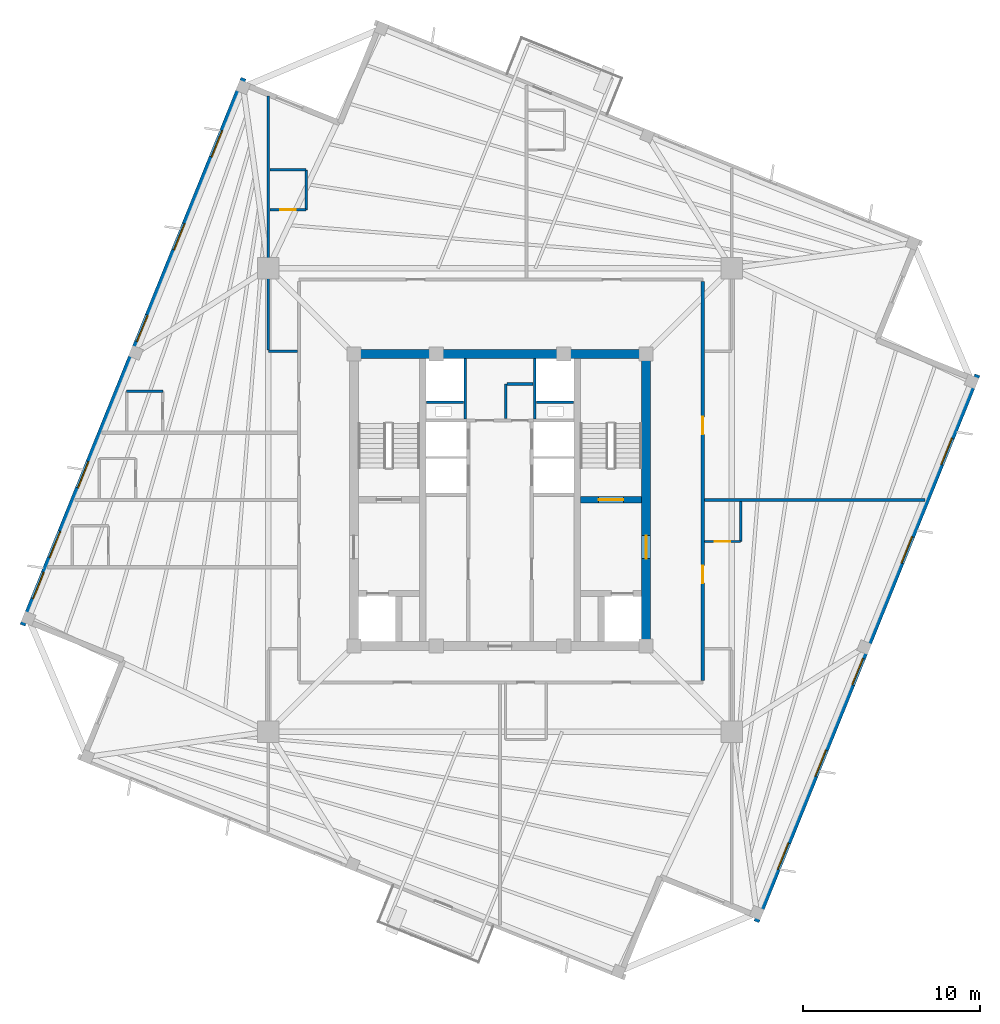
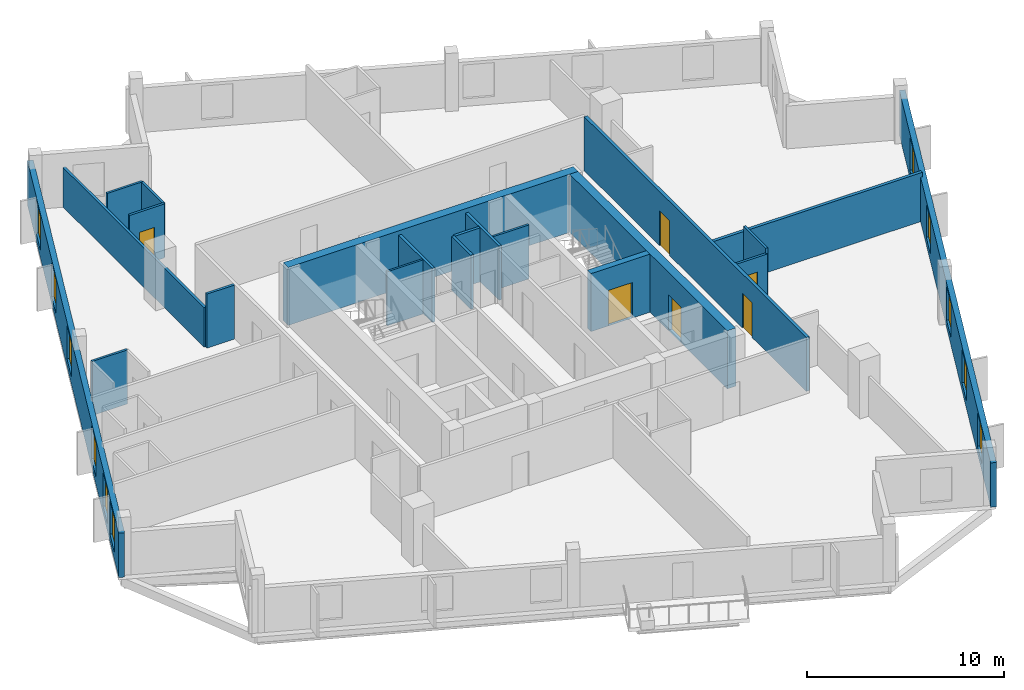
# One storey, part 4 of 8: 21 walls, 11 windows, 6 doors, 17 openings.
"""IFC4 building model written with IfcOpenShell, lengths in metres."""

from ifc_helpers import new_model, si_unit, direction, frame, frame_2d, origin, place, context, subcontext, project, spatial, rectangle, extrude, source, transform, mapped, material, layer, layer_set, type_object, element, fill, save


model = new_model("IFC4")

# Units and contexts
model_context = context("Model", 3, precision=1e-05, world=origin(), true_north=direction((0.0, 1.0)))
body_context = subcontext(model_context, "Body", "Model", "MODEL_VIEW")
ifc_project = project(units=[si_unit("LENGTHUNIT", "METRE"), si_unit("AREAUNIT", "SQUARE_METRE"), si_unit("VOLUMEUNIT", "CUBIC_METRE"), si_unit("PLANEANGLEUNIT", "RADIAN"), si_unit("MASSUNIT", "GRAM", prefix="KILO"), si_unit("THERMODYNAMICTEMPERATUREUNIT", "KELVIN")], contexts=[model_context])

# Site, building, storey
site_placement = place(None, origin())
site = spatial("IfcSite", under=ifc_project, at=site_placement, CompositionType="ELEMENT")
building_placement = place(site_placement, origin())
building = spatial("IfcBuilding", under=site, at=building_placement, Name="Kosmvard Interchange Tower", CompositionType="ELEMENT")
storey_placement = place(building_placement, frame((0.0, 0.0, 286.800048828125)))
storey = spatial("IfcBuildingStorey", under=building, at=storey_placement, Name="L70", CompositionType="ELEMENT", Elevation=286.800048828125)

# Walls
ifc_material_1 = material(Name="Acoustic gypsum partition system")
ifc_layer_1 = layer(ifc_material_1, 0.14990234375, Name="Acoustic gypsum partition system")
ifc_layer_set_1 = layer_set([ifc_layer_1], Name="Acoustic gypsum partition system")
wall_type_1 = type_object("IfcWallType", Name="Acoustic Suite & Meeting Partition 150", PredefinedType="PARTITIONING", material=ifc_layer_set_1)
wall_1_placement = place(storey_placement, frame((-11.445068359375, 8.39990234375, 0.0), z_axis=(0.0, 0.0, 1.0), x_axis=(-1.0, 0.0, 0.0)))
element("IfcWall", 1, at=wall_1_placement, inside=storey, type_object=wall_type_1, Name="L70 Room Partition 07.1", PredefinedType="PARTITIONING", context=body_context, shape_type="SweptSolid", body=[
    extrude(rectangle(XDim=1.635986328125, YDim=0.14990234375, at=frame_2d((0.81787109375, 0.0))), origin(), (0.0, 0.0, 1.0), 3.349853515625),
])
wall_2_placement = place(storey_placement, frame((-13.0810546875, 8.47509765625, 0.0), z_axis=(0.0, 0.0, 1.0), x_axis=(0.0, 1.0, 0.0)))
element("IfcWall", 2, at=wall_2_placement, inside=storey, type_object=wall_type_1, Name="L70 Room Partition 08.1", PredefinedType="PARTITIONING", context=body_context, shape_type="SweptSolid", body=[
    extrude(rectangle(XDim=14.341552734375, YDim=0.14990234375, at=frame_2d((7.1708984375, 0.0))), origin(), (0.0, 0.0, 1.0), 2.449951171875),
])
ifc_material_2 = material(Name="Fire-rated gypsum partition system")
ifc_layer_2 = layer(ifc_material_2, 0.159912109375, Name="Fire-rated gypsum partition system")
ifc_layer_set_2 = layer_set([ifc_layer_2], Name="Fire-rated gypsum partition system")
wall_type_2 = type_object("IfcWallType", Name="Core Compartment & Shuttle Lobby Partition 160", PredefinedType="PARTITIONING", material=ifc_layer_set_2)
for number, where, z_axis, x_axis, name in (
    (3, (-1.9599609375, 4.580078125, 0.0), (0.0, 0.0, 1.0), (0.0, 1.0, 0.0), "L70 North Core West Wall"),
    (4, (1.9599609375, 4.580078125, 0.0), (0.0, 0.0, 1.0), (0.0, 1.0, 0.0), "L70 North Core East Wall"),
):
    element("IfcWall", number, at=place(storey_placement, frame(where, z_axis=z_axis, x_axis=x_axis)), inside=storey, type_object=wall_type_2, Name=name, PredefinedType="PARTITIONING", context=body_context, shape_type="SweptSolid", body=[
        extrude(rectangle(XDim=3.39990234375, YDim=0.159912109375, at=frame_2d((1.699951171875, 0.0))), origin(), (0.0, 0.0, 1.0), 3.349853515625),
    ])
ifc_material_3 = material(Name="Concrete blockwork masonry", Category="masonry")
ifc_layer_3 = layer(ifc_material_3, 0.159912109375, Name="Concrete blockwork masonry")
ifc_layer_set_3 = layer_set([ifc_layer_3], Name="Concrete blockwork masonry")
wall_type_3 = type_object("IfcWallType", Name="Core Enclosure Split Wall 160", PredefinedType="PARTITIONING", material=ifc_layer_set_3)
wall_3_placement = place(storey_placement, frame((0.320068359375, 4.60009765625, 0.0), z_axis=(0.0, 0.0, 1.0), x_axis=(0.0, 1.0, 0.0)))
element("IfcWall", 5, at=wall_3_placement, inside=storey, type_object=wall_type_3, Name="L70 Core K3 L-Wall 1", PredefinedType="PARTITIONING", context=body_context, shape_type="SweptSolid", body=[
    extrude(rectangle(XDim=1.949951171875, YDim=0.159912109375, at=frame_2d((0.97509765625, 0.0))), origin(), (0.0, 0.0, 1.0), 3.349853515625),
])
wall_4_placement = place(storey_placement, frame((0.39990234375, 6.550048828125, 0.0), z_axis=(0.0, 0.0, 1.0), x_axis=(1.0, 0.0, 0.0)))
element("IfcWall", 6, at=wall_4_placement, inside=storey, type_object=wall_type_3, Name="L70 Core K3 L-Wall 2", PredefinedType="PARTITIONING", context=body_context, shape_type="SweptSolid", body=[
    extrude(rectangle(XDim=1.460205078125, YDim=0.159912109375, at=frame_2d((0.72998046875, 0.0))), origin(), (0.0, 0.0, 1.0), 3.349853515625),
])

# Wall, openings, doors
ifc_layer_4 = layer(ifc_material_2, 0.179931640625, Name="Fire-rated gypsum partition system")
ifc_layer_set_4 = layer_set([ifc_layer_4], Name="Fire-rated gypsum partition system")
wall_type_4 = type_object("IfcWallType", Name="Corridor & Hotel Compartment Partition 180", PredefinedType="PARTITIONING", material=ifc_layer_set_4)
wall_5_placement = place(storey_placement, frame((11.449951171875, -10.199951171875, 0.0), z_axis=(0.0, 0.0, 1.0), x_axis=(0.0, 1.0, 0.0)))
wall_5 = element("IfcWall", 7, at=wall_5_placement, inside=storey, type_object=wall_type_4, Name="L70 Corridor Wall CE", PredefinedType="PARTITIONING", context=body_context, shape_type="SweptSolid", body=[
    extrude(rectangle(XDim=22.550048828125, YDim=0.179931640625, at=frame_2d((11.27490234375, 0.0))), origin(), (0.0, 0.0, 1.0), 3.349853515625),
])
opening_1_placement = place(wall_5_placement, frame((13.89990234375, 0.0, 0.0)))
opening_1 = element("IfcOpeningElement", 8, at=opening_1_placement, cuts=wall_5, Name="Opening L70-D10", PredefinedType="OPENING", context=body_context, shape_type="SweptSolid", body=[
    extrude(rectangle(XDim=1.0, YDim=2.14990234375, at=frame_2d((0.5, 1.074951171875))), frame((0.0, 0.10009765625, 0.0), z_axis=(0.0, -1.0, 0.0), x_axis=(1.0, 0.0, 0.0)), (0.0, 0.0, 1.0), 0.199951171875),
])
opening_2_placement = place(wall_5_placement, frame((5.5, 0.0, 0.0)))
opening_2 = element("IfcOpeningElement", 9, at=opening_2_placement, cuts=wall_5, Name="Opening L70-D11", PredefinedType="OPENING", context=body_context, shape_type="SweptSolid", body=[
    extrude(rectangle(XDim=1.0, YDim=2.14990234375, at=frame_2d((0.5, 1.074951171875))), frame((0.0, 0.10009765625, 0.0), z_axis=(0.0, -1.0, 0.0), x_axis=(1.0, 0.0, 0.0)), (0.0, 0.0, 1.0), 0.199951171875),
])
ifc_material_4 = material(Name="Engineered oak fire-rated timber", Category="wood")
door_type_1 = type_object("IfcDoorType", Name="Hotel Guestroom Entrance Door 1000x2150 EI60", OperationType="NOTDEFINED", PredefinedType="DOOR", material=ifc_material_4)
shared_shape_1 = source(origin(), body_context, "Body", "SweptSolid", [
    extrude(rectangle(XDim=1.0, YDim=2.14990234375, at=frame_2d((0.5, 1.074951171875))), frame((0.0, 0.02490234375, 0.0), z_axis=(0.0, -1.0, 0.0), x_axis=(1.0, 0.0, 0.0)), (0.0, 0.0, 1.0), 0.050048828125),
])
door_1_placement = place(opening_1_placement, frame((1.0, 0.0, 0.0), z_axis=(0.0, 0.0, 1.0), x_axis=(-1.0, 0.0, 0.0)))
door_1 = element("IfcDoor", 10, at=door_1_placement, inside=storey, type_object=door_type_1, Name="L70 Hotel Summit Boardroom 1 Door", OperationType="SINGLE_SWING_RIGHT", OverallHeight=2.14990234375, OverallWidth=1.0, PredefinedType="DOOR", context=body_context, shape_type="MappedRepresentation", body=[
    mapped(shared_shape_1, transform((0.0, 0.0, 0.0), scale=1.0)),
])
fill(opening_1, door_1)
door_2_placement = place(opening_2_placement, frame((1.0, 0.0, 0.0), z_axis=(0.0, 0.0, 1.0), x_axis=(-1.0, 0.0, 0.0)))
door_2 = element("IfcDoor", 11, at=door_2_placement, inside=storey, type_object=door_type_1, Name="L70 Hotel South-West Corner Suite 5 Door", OperationType="SINGLE_SWING_LEFT", OverallHeight=2.14990234375, OverallWidth=1.0, PredefinedType="DOOR", context=body_context, shape_type="MappedRepresentation", body=[
    mapped(shared_shape_1, transform((0.0, 0.0, 0.0), scale=1.0)),
])
fill(opening_2, door_2)

# Walls
wall_6_placement = place(storey_placement, frame((11.544921875, 0.0, 0.0), z_axis=(0.0, 0.0, 1.0), x_axis=(1.0, 0.0, 0.0)))
element("IfcWall", 12, at=wall_6_placement, inside=storey, type_object=wall_type_4, Name="L70 Room Partition 02.1", PredefinedType="PARTITIONING", context=body_context, shape_type="SweptSolid", body=[
    extrude(rectangle(XDim=12.457763671875, YDim=0.179931640625, at=frame_2d((6.22900390625, 0.0))), origin(), (0.0, 0.0, 1.0), 3.02001953125),
])
ifc_material_5 = material(Name="Fire-rated gypsum shaftwall system")
ifc_layer_5 = layer(ifc_material_5, 0.1201171875, Name="Fire-rated gypsum shaftwall system")
ifc_layer_set_5 = layer_set([ifc_layer_5], Name="Fire-rated gypsum shaftwall system")
wall_type_5 = type_object("IfcWallType", Name="Shaft & Riser Fire Partition 120 EI60", PredefinedType="PARTITIONING", material=ifc_layer_set_5)
for number, where, z_axis, x_axis, name in (
    (13, (-4.159912109375, 5.52001953125, 0.0), (0.0, 0.0, 1.0), (1.0, 0.0, 0.0), "L70 Riser Shaft Divider W"),
    (14, (2.06005859375, 5.52001953125, 0.0), (0.0, 0.0, 1.0), (1.0, 0.0, 0.0), "L70 Riser Shaft Divider E"),
):
    element("IfcWall", number, at=place(storey_placement, frame(where, z_axis=z_axis, x_axis=x_axis)), inside=storey, type_object=wall_type_5, Name=name, PredefinedType="PARTITIONING", context=body_context, shape_type="SweptSolid", body=[
        extrude(rectangle(XDim=2.099853515625, YDim=0.1201171875, at=frame_2d((1.0498046875, 0.0))), origin(), (0.0, 0.0, 1.0), 3.349853515625),
    ])

# Wall, opening, door
ifc_material_6 = material(Name="Concrete C60/75", Category="concrete")
ifc_layer_6 = layer(ifc_material_6, 0.360107421875, Name="Concrete C60/75")
ifc_layer_set_6 = layer_set([ifc_layer_6], Name="Concrete C60/75")
wall_type_6 = type_object("IfcWallType", Name="Stair & Lift Shaft Shear Wall 360 C60/75", PredefinedType="SHEAR", material=ifc_layer_set_6)
wall_7_placement = place(storey_placement, frame((4.5400390625, 0.02001953125, 0.0), z_axis=(0.0, 0.0, 1.0), x_axis=(1.0, 0.0, 0.0)))
wall_7 = element("IfcWall", 15, at=wall_7_placement, inside=storey, type_object=wall_type_6, Name="L70 Shaft Shear Wall SW-ST2", PredefinedType="SHEAR", context=body_context, shape_type="SweptSolid", body=[
    extrude(rectangle(XDim=3.4599609375, YDim=0.360107421875, at=frame_2d((1.72998046875, 0.0))), origin(), (0.0, 0.0, 1.0), 3.599853515625),
])
opening_3_placement = place(wall_7_placement, frame((1.030029296875, 0.0, 0.0)))
opening_3 = element("IfcOpeningElement", 16, at=opening_3_placement, cuts=wall_7, Name="Opening L70-SD2", PredefinedType="OPENING", context=body_context, shape_type="SweptSolid", body=[
    extrude(rectangle(XDim=1.39990234375, YDim=2.199951171875, at=frame_2d((0.699951171875, 1.10009765625))), frame((0.0, 0.18994140625, 0.0), z_axis=(0.0, -1.0, 0.0), x_axis=(1.0, 0.0, 0.0)), (0.0, 0.0, 1.0), 0.380126953125),
])
ifc_material_7 = material(Name="Painted fire-rated steel leaf", Category="steel")
door_type_2 = type_object("IfcDoorType", Name="Protected Stair Door 1400x2200 FD60S", OperationType="NOTDEFINED", PredefinedType="DOOR", material=ifc_material_7)
shared_shape_2 = source(origin(), body_context, "Body", "SweptSolid", [
    extrude(rectangle(XDim=1.39990234375, YDim=2.199951171875, at=frame_2d((0.699951171875, 1.10009765625))), frame((0.0, 0.02490234375, 0.0), z_axis=(0.0, -1.0, 0.0), x_axis=(1.0, 0.0, 0.0)), (0.0, 0.0, 1.0), 0.050048828125),
])
door_3_placement = place(opening_3_placement, origin())
door_3 = element("IfcDoor", 17, at=door_3_placement, inside=storey, type_object=door_type_2, Name="L70 Stair ST-2 Enclosure Door", OperationType="SINGLE_SWING_RIGHT", OverallHeight=2.199951171875, OverallWidth=1.39990234375, PredefinedType="DOOR", context=body_context, shape_type="MappedRepresentation", body=[
    mapped(shared_shape_2, transform((0.0, 0.0, 0.0), scale=1.0)),
])
fill(opening_3, door_3)

# Wall
ifc_layer_7 = layer(ifc_material_6, 0.5, Name="Concrete C60/75")
ifc_layer_set_7 = layer_set([ifc_layer_7], Name="Concrete C60/75")
wall_type_7 = type_object("IfcWallType", Name="Upper Core Shear Wall 500 C60/75", PredefinedType="SHEAR", material=ifc_layer_set_7)
wall_8_placement = place(storey_placement, frame((-8.5, 8.25, 0.0), z_axis=(0.0, 0.0, 1.0), x_axis=(1.0, 0.0, 0.0)))
element("IfcWall", 18, at=wall_8_placement, inside=storey, type_object=wall_type_7, Name="L70 Core Shear Wall CW-N", PredefinedType="SHEAR", context=body_context, shape_type="SweptSolid", body=[
    extrude(rectangle(XDim=17.0, YDim=0.5, at=frame_2d((8.5, 0.0))), origin(), (0.0, 0.0, 1.0), 3.599853515625),
])

# Wall, opening, door
wall_9_placement = place(storey_placement, frame((8.25, -8.0, 0.0), z_axis=(0.0, 0.0, 1.0), x_axis=(0.0, 1.0, 0.0)))
wall_9 = element("IfcWall", 19, at=wall_9_placement, inside=storey, type_object=wall_type_7, Name="L70 Core Shear Wall CW-E", PredefinedType="SHEAR", context=body_context, shape_type="SweptSolid", body=[
    extrude(rectangle(XDim=16.0, YDim=0.5, at=frame_2d((8.0, 0.0))), origin(), (0.0, 0.0, 1.0), 3.599853515625),
])
opening_4_placement = place(wall_9_placement, frame((4.68994140625, 0.0, 0.0)))
opening_4 = element("IfcOpeningElement", 20, at=opening_4_placement, cuts=wall_9, Name="Opening L70-FD2", PredefinedType="OPENING", context=body_context, shape_type="SweptSolid", body=[
    extrude(rectangle(XDim=1.300048828125, YDim=2.199951171875, at=frame_2d((0.64990234375, 1.10009765625))), frame((0.0, 0.260009765625, 0.0), z_axis=(0.0, -1.0, 0.0), x_axis=(1.0, 0.0, 0.0)), (0.0, 0.0, 1.0), 0.52001953125),
])
door_type_3 = type_object("IfcDoorType", Name="Firefighting Lobby Door 1300x2200 EI60", OperationType="NOTDEFINED", PredefinedType="DOOR", material=ifc_material_7)
shared_shape_3 = source(origin(), body_context, "Body", "SweptSolid", [
    extrude(rectangle(XDim=1.300048828125, YDim=2.199951171875, at=frame_2d((0.64990234375, 1.10009765625))), frame((0.0, 0.02490234375, 0.0), z_axis=(0.0, -1.0, 0.0), x_axis=(1.0, 0.0, 0.0)), (0.0, 0.0, 1.0), 0.050048828125),
])
door_4_placement = place(opening_4_placement, origin())
door_4 = element("IfcDoor", 21, at=door_4_placement, inside=storey, type_object=door_type_3, Name="L70 Firefighting Lobby East Door", OperationType="SINGLE_SWING_RIGHT", OverallHeight=2.199951171875, OverallWidth=1.300048828125, PredefinedType="DOOR", context=body_context, shape_type="MappedRepresentation", body=[
    mapped(shared_shape_3, transform((0.0, 0.0, 0.0), scale=1.0)),
])
fill(opening_4, door_4)

# Wall, openings, windows
ifc_material_8 = material(Name="Precast concrete C45/55", Category="concrete")
ifc_layer_8 = layer(ifc_material_8, 0.31005859375, Name="Precast concrete C45/55")
ifc_layer_set_8 = layer_set([ifc_layer_8], Name="Precast concrete C45/55")
wall_type_8 = type_object("IfcWallType", Name="Upper Tower Precast Pier Wall 310 C45/55", PredefinedType="STANDARD", material=ifc_layer_set_8)
wall_10_placement = place(storey_placement, frame((14.478759765625, -23.812744140625, 0.0), z_axis=(0.0, 0.0, 1.0), x_axis=(0.374609557019, 0.927182657188, 0.0)))
wall_10 = element("IfcWall", 22, at=wall_10_placement, inside=storey, type_object=wall_type_8, Name="L70 Precast Facade Wall F-S", PredefinedType="STANDARD", context=body_context, shape_type="SweptSolid", body=[
    extrude(rectangle(XDim=33.31005859375, YDim=0.31005859375, at=frame_2d((16.655029296875, 0.0))), origin(), (0.0, 0.0, 1.0), 2.75),
])
opening_5_placement = place(wall_10_placement, frame((3.197265625, 0.0, 0.469970703125)))
opening_5 = element("IfcOpeningElement", 23, at=opening_5_placement, cuts=wall_10, Name="Opening L70-W01", PredefinedType="OPENING", context=body_context, shape_type="SweptSolid", body=[
    extrude(rectangle(XDim=1.60009765625, YDim=2.10009765625, at=frame_2d((0.800048828125, 1.050048828125))), frame((0.0, 0.1650390625, 0.0), z_axis=(0.0, -1.0, 0.0), x_axis=(1.0, 0.0, 0.0)), (0.0, 0.0, 1.0), 0.330078125),
])
opening_6_placement = place(wall_10_placement, frame((8.85986328125, 0.0, 0.469970703125)))
opening_6 = element("IfcOpeningElement", 24, at=opening_6_placement, cuts=wall_10, Name="Opening L70-W02", PredefinedType="OPENING", context=body_context, shape_type="SweptSolid", body=[
    extrude(rectangle(XDim=1.60009765625, YDim=2.10009765625, at=frame_2d((0.800048828125, 1.050048828125))), frame((0.0, 0.1650390625, 0.0), z_axis=(0.0, -1.0, 0.0), x_axis=(1.0, 0.0, 0.0)), (0.0, 0.0, 1.0), 0.330078125),
])
opening_7_placement = place(wall_10_placement, frame((14.438720703125, 0.0, 0.469970703125)))
opening_7 = element("IfcOpeningElement", 25, at=opening_7_placement, cuts=wall_10, Name="Opening L70-W03", PredefinedType="OPENING", context=body_context, shape_type="SweptSolid", body=[
    extrude(rectangle(XDim=1.60009765625, YDim=2.10009765625, at=frame_2d((0.800048828125, 1.050048828125))), frame((0.0, 0.1650390625, 0.0), z_axis=(0.0, -1.0, 0.0), x_axis=(1.0, 0.0, 0.0)), (0.0, 0.0, 1.0), 0.330078125),
])
opening_8_placement = place(wall_10_placement, frame((21.850830078125, 0.0, 0.469970703125)))
opening_8 = element("IfcOpeningElement", 26, at=opening_8_placement, cuts=wall_10, Name="Opening L70-W04", PredefinedType="OPENING", context=body_context, shape_type="SweptSolid", body=[
    extrude(rectangle(XDim=1.60009765625, YDim=2.10009765625, at=frame_2d((0.800048828125, 1.050048828125))), frame((0.0, 0.1650390625, 0.0), z_axis=(0.0, -1.0, 0.0), x_axis=(1.0, 0.0, 0.0)), (0.0, 0.0, 1.0), 0.330078125),
])
opening_9_placement = place(wall_10_placement, frame((27.8466796875, 0.0, 0.469970703125)))
opening_9 = element("IfcOpeningElement", 27, at=opening_9_placement, cuts=wall_10, Name="Opening L70-W05", PredefinedType="OPENING", context=body_context, shape_type="SweptSolid", body=[
    extrude(rectangle(XDim=1.60009765625, YDim=2.10009765625, at=frame_2d((0.800048828125, 1.050048828125))), frame((0.0, 0.1650390625, 0.0), z_axis=(0.0, -1.0, 0.0), x_axis=(1.0, 0.0, 0.0)), (0.0, 0.0, 1.0), 0.330078125),
])
ifc_material_9 = material(Name="Low-E acoustic double glazing", Category="glass")
window_type = type_object("IfcWindowType", Name="Zone 5 Hotel Punched Window 1600x2100", PartitioningType="SINGLE_PANEL", PredefinedType="WINDOW", material=ifc_material_9)
shared_shape_4 = source(origin(), body_context, "Body", "SweptSolid", [
    extrude(rectangle(XDim=1.60009765625, YDim=2.10009765625, at=frame_2d((0.800048828125, 1.050048828125))), frame((0.0, 0.030029296875, 0.0), z_axis=(0.0, -1.0, 0.0), x_axis=(1.0, 0.0, 0.0)), (0.0, 0.0, 1.0), 0.06005859375),
])
window_1_placement = place(opening_5_placement, origin())
window_1 = element("IfcWindow", 28, at=window_1_placement, inside=storey, type_object=window_type, Name="L70 Facade Punched Window 01", OverallHeight=2.10009765625, OverallWidth=1.60009765625, PartitioningType="SINGLE_PANEL", PredefinedType="WINDOW", context=body_context, shape_type="MappedRepresentation", body=[
    mapped(shared_shape_4, transform((0.0, 0.0, 0.0), scale=1.0)),
])
fill(opening_5, window_1)
window_2_placement = place(opening_6_placement, origin())
window_2 = element("IfcWindow", 29, at=window_2_placement, inside=storey, type_object=window_type, Name="L70 Facade Punched Window 02", OverallHeight=2.10009765625, OverallWidth=1.60009765625, PartitioningType="SINGLE_PANEL", PredefinedType="WINDOW", context=body_context, shape_type="MappedRepresentation", body=[
    mapped(shared_shape_4, transform((0.0, 0.0, 0.0), scale=1.0)),
])
fill(opening_6, window_2)
window_3_placement = place(opening_7_placement, origin())
window_3 = element("IfcWindow", 30, at=window_3_placement, inside=storey, type_object=window_type, Name="L70 Facade Punched Window 03", OverallHeight=2.10009765625, OverallWidth=1.60009765625, PartitioningType="SINGLE_PANEL", PredefinedType="WINDOW", context=body_context, shape_type="MappedRepresentation", body=[
    mapped(shared_shape_4, transform((0.0, 0.0, 0.0), scale=1.0)),
])
fill(opening_7, window_3)
window_4_placement = place(opening_8_placement, origin())
window_4 = element("IfcWindow", 31, at=window_4_placement, inside=storey, type_object=window_type, Name="L70 Facade Punched Window 04", OverallHeight=2.10009765625, OverallWidth=1.60009765625, PartitioningType="SINGLE_PANEL", PredefinedType="WINDOW", context=body_context, shape_type="MappedRepresentation", body=[
    mapped(shared_shape_4, transform((0.0, 0.0, 0.0), scale=1.0)),
])
fill(opening_8, window_4)
window_5_placement = place(opening_9_placement, origin())
window_5 = element("IfcWindow", 32, at=window_5_placement, inside=storey, type_object=window_type, Name="L70 Facade Punched Window 05", OverallHeight=2.10009765625, OverallWidth=1.60009765625, PartitioningType="SINGLE_PANEL", PredefinedType="WINDOW", context=body_context, shape_type="MappedRepresentation", body=[
    mapped(shared_shape_4, transform((0.0, 0.0, 0.0), scale=1.0)),
])
fill(opening_9, window_5)

wall_11_placement = place(storey_placement, frame((-14.478759765625, 23.812744140625, 0.0), z_axis=(0.0, 0.0, 1.0), x_axis=(-0.374609557019, -0.927182657188, 0.0)))
wall_11 = element("IfcWall", 33, at=wall_11_placement, inside=storey, type_object=wall_type_8, Name="L70 Precast Facade Wall F-N", PredefinedType="STANDARD", context=body_context, shape_type="SweptSolid", body=[
    extrude(rectangle(XDim=33.31005859375, YDim=0.31005859375, at=frame_2d((16.655029296875, 0.0))), origin(), (0.0, 0.0, 1.0), 2.75),
])
opening_10_placement = place(wall_11_placement, frame((3.197265625, 0.0, 0.469970703125)))
opening_10 = element("IfcOpeningElement", 34, at=opening_10_placement, cuts=wall_11, Name="Opening L70-W10", PredefinedType="OPENING", context=body_context, shape_type="SweptSolid", body=[
    extrude(rectangle(XDim=1.60009765625, YDim=2.10009765625, at=frame_2d((0.800048828125, 1.050048828125))), frame((0.0, 0.1650390625, 0.0), z_axis=(0.0, -1.0, 0.0), x_axis=(1.0, 0.0, 0.0)), (0.0, 0.0, 1.0), 0.330078125),
])
opening_11_placement = place(wall_11_placement, frame((8.85986328125, 0.0, 0.469970703125)))
opening_11 = element("IfcOpeningElement", 35, at=opening_11_placement, cuts=wall_11, Name="Opening L70-W11", PredefinedType="OPENING", context=body_context, shape_type="SweptSolid", body=[
    extrude(rectangle(XDim=1.60009765625, YDim=2.10009765625, at=frame_2d((0.800048828125, 1.050048828125))), frame((0.0, 0.1650390625, 0.0), z_axis=(0.0, -1.0, 0.0), x_axis=(1.0, 0.0, 0.0)), (0.0, 0.0, 1.0), 0.330078125),
])
opening_12_placement = place(wall_11_placement, frame((14.438720703125, 0.0, 0.469970703125)))
opening_12 = element("IfcOpeningElement", 36, at=opening_12_placement, cuts=wall_11, Name="Opening L70-W12", PredefinedType="OPENING", context=body_context, shape_type="SweptSolid", body=[
    extrude(rectangle(XDim=1.60009765625, YDim=2.10009765625, at=frame_2d((0.800048828125, 1.050048828125))), frame((0.0, 0.1650390625, 0.0), z_axis=(0.0, -1.0, 0.0), x_axis=(1.0, 0.0, 0.0)), (0.0, 0.0, 1.0), 0.330078125),
])
opening_13_placement = place(wall_11_placement, frame((23.350830078125, 0.0, 0.469970703125)))
opening_13 = element("IfcOpeningElement", 37, at=opening_13_placement, cuts=wall_11, Name="Opening L70-W13", PredefinedType="OPENING", context=body_context, shape_type="SweptSolid", body=[
    extrude(rectangle(XDim=1.60009765625, YDim=2.10009765625, at=frame_2d((0.800048828125, 1.050048828125))), frame((0.0, 0.1650390625, 0.0), z_axis=(0.0, -1.0, 0.0), x_axis=(1.0, 0.0, 0.0)), (0.0, 0.0, 1.0), 0.330078125),
])
opening_14_placement = place(wall_11_placement, frame((30.0966796875, 0.0, 0.469970703125)))
opening_14 = element("IfcOpeningElement", 38, at=opening_14_placement, cuts=wall_11, Name="Opening L70-W14", PredefinedType="OPENING", context=body_context, shape_type="SweptSolid", body=[
    extrude(rectangle(XDim=1.60009765625, YDim=2.10009765625, at=frame_2d((0.800048828125, 1.050048828125))), frame((0.0, 0.1650390625, 0.0), z_axis=(0.0, -1.0, 0.0), x_axis=(1.0, 0.0, 0.0)), (0.0, 0.0, 1.0), 0.330078125),
])
opening_15_placement = place(wall_11_placement, frame((27.58984375, 0.0, 0.469970703125)))
opening_15 = element("IfcOpeningElement", 39, at=opening_15_placement, cuts=wall_11, Name="Opening L70-DW23", PredefinedType="OPENING", context=body_context, shape_type="SweptSolid", body=[
    extrude(rectangle(XDim=1.60009765625, YDim=2.10009765625, at=frame_2d((0.800048828125, 1.050048828125))), frame((0.0, 0.1650390625, 0.0), z_axis=(0.0, -1.0, 0.0), x_axis=(1.0, 0.0, 0.0)), (0.0, 0.0, 1.0), 0.330078125),
])
window_6_placement = place(opening_10_placement, origin())
window_6 = element("IfcWindow", 40, at=window_6_placement, inside=storey, type_object=window_type, Name="L70 Facade Punched Window 10", OverallHeight=2.10009765625, OverallWidth=1.60009765625, PartitioningType="SINGLE_PANEL", PredefinedType="WINDOW", context=body_context, shape_type="MappedRepresentation", body=[
    mapped(shared_shape_4, transform((0.0, 0.0, 0.0), scale=1.0)),
])
fill(opening_10, window_6)
window_7_placement = place(opening_11_placement, origin())
window_7 = element("IfcWindow", 41, at=window_7_placement, inside=storey, type_object=window_type, Name="L70 Facade Punched Window 11", OverallHeight=2.10009765625, OverallWidth=1.60009765625, PartitioningType="SINGLE_PANEL", PredefinedType="WINDOW", context=body_context, shape_type="MappedRepresentation", body=[
    mapped(shared_shape_4, transform((0.0, 0.0, 0.0), scale=1.0)),
])
fill(opening_11, window_7)
window_8_placement = place(opening_12_placement, origin())
window_8 = element("IfcWindow", 42, at=window_8_placement, inside=storey, type_object=window_type, Name="L70 Facade Punched Window 12", OverallHeight=2.10009765625, OverallWidth=1.60009765625, PartitioningType="SINGLE_PANEL", PredefinedType="WINDOW", context=body_context, shape_type="MappedRepresentation", body=[
    mapped(shared_shape_4, transform((0.0, 0.0, 0.0), scale=1.0)),
])
fill(opening_12, window_8)
window_9_placement = place(opening_13_placement, origin())
window_9 = element("IfcWindow", 43, at=window_9_placement, inside=storey, type_object=window_type, Name="L70 Facade Punched Window 13", OverallHeight=2.10009765625, OverallWidth=1.60009765625, PartitioningType="SINGLE_PANEL", PredefinedType="WINDOW", context=body_context, shape_type="MappedRepresentation", body=[
    mapped(shared_shape_4, transform((0.0, 0.0, 0.0), scale=1.0)),
])
fill(opening_13, window_9)
window_10_placement = place(opening_14_placement, origin())
window_10 = element("IfcWindow", 44, at=window_10_placement, inside=storey, type_object=window_type, Name="L70 Facade Punched Window 14", OverallHeight=2.10009765625, OverallWidth=1.60009765625, PartitioningType="SINGLE_PANEL", PredefinedType="WINDOW", context=body_context, shape_type="MappedRepresentation", body=[
    mapped(shared_shape_4, transform((0.0, 0.0, 0.0), scale=1.0)),
])
fill(opening_14, window_10)
window_11_placement = place(opening_15_placement, origin())
window_11 = element("IfcWindow", 45, at=window_11_placement, inside=storey, type_object=window_type, Name="L70 Guest Room Punched Window 23", OverallHeight=2.10009765625, OverallWidth=1.60009765625, PartitioningType="SINGLE_PANEL", PredefinedType="WINDOW", context=body_context, shape_type="MappedRepresentation", body=[
    mapped(shared_shape_4, transform((0.0, 0.0, 0.0), scale=1.0)),
])
fill(opening_15, window_11)

# Wall
ifc_material_10 = material(Name="Moisture-resistant gypsum partition")
ifc_layer_9 = layer(ifc_material_10, 0.135009765625, Name="Moisture-resistant gypsum partition")
ifc_layer_set_9 = layer_set([ifc_layer_9], Name="Moisture-resistant gypsum partition")
wall_type_9 = type_object("IfcWallType", Name="Wet Room Moisture-Resistant Partition 135", PredefinedType="PARTITIONING", material=ifc_layer_set_9)
wall_12_placement = place(storey_placement, frame((-21.084228515625, 6.139892578125, 0.0), z_axis=(0.0, 0.0, 1.0), x_axis=(1.0, 0.0, 0.0)))
element("IfcWall", 46, at=wall_12_placement, inside=storey, type_object=wall_type_9, Name="L70 En-Suite Partition HPS2-N", PredefinedType="PARTITIONING", context=body_context, shape_type="SweptSolid", body=[
    extrude(rectangle(XDim=2.050048828125, YDim=0.135009765625, at=frame_2d((1.02490234375, 0.0))), origin(), (0.0, 0.0, 1.0), 3.349853515625),
])

# Wall, opening, door
wall_13_placement = place(storey_placement, frame((-12.990966796875, 16.3857421875, 0.0), z_axis=(0.0, 0.0, 1.0), x_axis=(1.0, 0.0, 0.0)))
wall_13 = element("IfcWall", 47, at=wall_13_placement, inside=storey, type_object=wall_type_9, Name="L70 En-Suite Partition HPS3-S", PredefinedType="PARTITIONING", context=body_context, shape_type="SweptSolid", body=[
    extrude(rectangle(XDim=2.050048828125, YDim=0.135009765625, at=frame_2d((1.02490234375, 0.0))), origin(), (0.0, 0.0, 1.0), 3.349853515625),
])
opening_16_placement = place(wall_13_placement, frame((0.5849609375, 0.0, 0.0)))
opening_16 = element("IfcOpeningElement", 48, at=opening_16_placement, cuts=wall_13, Name="Opening L70-ED07", PredefinedType="OPENING", context=body_context, shape_type="SweptSolid", body=[
    extrude(rectangle(XDim=0.8798828125, YDim=2.10009765625, at=frame_2d((0.43994140625, 1.050048828125))), frame((0.0, 0.07763671875, 0.0), z_axis=(0.0, -1.0, 0.0), x_axis=(1.0, 0.0, 0.0)), (0.0, 0.0, 1.0), 0.155029296875),
])
ifc_material_11 = material(Name="Laminated moisture-resistant timber", Category="wood")
door_type_4 = type_object("IfcDoorType", Name="En-Suite & Washroom Door 880x2100", OperationType="NOTDEFINED", PredefinedType="DOOR", material=ifc_material_11)
shared_shape_5 = source(origin(), body_context, "Body", "SweptSolid", [
    extrude(rectangle(XDim=0.8798828125, YDim=2.10009765625, at=frame_2d((0.43994140625, 1.050048828125))), frame((0.0, 0.02490234375, 0.0), z_axis=(0.0, -1.0, 0.0), x_axis=(1.0, 0.0, 0.0)), (0.0, 0.0, 1.0), 0.050048828125),
])
door_5_placement = place(opening_16_placement, origin())
door_5 = element("IfcDoor", 49, at=door_5_placement, inside=storey, type_object=door_type_4, Name="L70 HPS3 En-Suite Door", OperationType="SINGLE_SWING_RIGHT", OverallHeight=2.10009765625, OverallWidth=0.8798828125, PredefinedType="DOOR", context=body_context, shape_type="MappedRepresentation", body=[
    mapped(shared_shape_5, transform((0.0, 0.0, 0.0), scale=1.0)),
])
fill(opening_16, door_5)

# Walls
wall_14_placement = place(storey_placement, frame((-10.94091796875, 16.3857421875, 0.0), z_axis=(0.0, 0.0, 1.0), x_axis=(0.0, 1.0, 0.0)))
element("IfcWall", 50, at=wall_14_placement, inside=storey, type_object=wall_type_9, Name="L70 En-Suite Partition HPS3-E", PredefinedType="PARTITIONING", context=body_context, shape_type="SweptSolid", body=[
    extrude(rectangle(XDim=2.25, YDim=0.135009765625, at=frame_2d((1.125, 0.0))), origin(), (0.0, 0.0, 1.0), 3.349853515625),
])
wall_15_placement = place(storey_placement, frame((-12.990966796875, 18.6357421875, 0.0), z_axis=(0.0, 0.0, 1.0), x_axis=(1.0, 0.0, 0.0)))
element("IfcWall", 51, at=wall_15_placement, inside=storey, type_object=wall_type_9, Name="L70 En-Suite Partition HPS3-N", PredefinedType="PARTITIONING", context=body_context, shape_type="SweptSolid", body=[
    extrude(rectangle(XDim=2.050048828125, YDim=0.135009765625, at=frame_2d((1.02490234375, 0.0))), origin(), (0.0, 0.0, 1.0), 3.349853515625),
])

# Wall, opening, door
wall_16_placement = place(storey_placement, frame((11.534912109375, -2.340087890625, 0.0), z_axis=(0.0, 0.0, 1.0), x_axis=(1.0, 0.0, 0.0)))
wall_16 = element("IfcWall", 52, at=wall_16_placement, inside=storey, type_object=wall_type_9, Name="L70 En-Suite Partition HPS5-S", PredefinedType="PARTITIONING", context=body_context, shape_type="SweptSolid", body=[
    extrude(rectangle(XDim=2.050048828125, YDim=0.135009765625, at=frame_2d((1.02490234375, 0.0))), origin(), (0.0, 0.0, 1.0), 3.02001953125),
])
opening_17_placement = place(wall_16_placement, frame((0.5849609375, 0.0, 0.0)))
opening_17 = element("IfcOpeningElement", 53, at=opening_17_placement, cuts=wall_16, Name="Opening L70-ED12", PredefinedType="OPENING", context=body_context, shape_type="SweptSolid", body=[
    extrude(rectangle(XDim=0.8798828125, YDim=2.10009765625, at=frame_2d((0.43994140625, 1.050048828125))), frame((0.0, 0.07763671875, 0.0), z_axis=(0.0, -1.0, 0.0), x_axis=(1.0, 0.0, 0.0)), (0.0, 0.0, 1.0), 0.155029296875),
])
door_6_placement = place(opening_17_placement, origin())
door_6 = element("IfcDoor", 54, at=door_6_placement, inside=storey, type_object=door_type_4, Name="L70 HPS5 En-Suite Door", OperationType="SINGLE_SWING_LEFT", OverallHeight=2.10009765625, OverallWidth=0.8798828125, PredefinedType="DOOR", context=body_context, shape_type="MappedRepresentation", body=[
    mapped(shared_shape_5, transform((0.0, 0.0, 0.0), scale=1.0)),
])
fill(opening_17, door_6)

# Wall
wall_17_placement = place(storey_placement, frame((13.5849609375, -2.340087890625, 0.0), z_axis=(0.0, 0.0, 1.0), x_axis=(0.0, 1.0, 0.0)))
element("IfcWall", 55, at=wall_17_placement, inside=storey, type_object=wall_type_9, Name="L70 En-Suite Partition HPS5-E", PredefinedType="PARTITIONING", context=body_context, shape_type="SweptSolid", body=[
    extrude(rectangle(XDim=2.25, YDim=0.135009765625, at=frame_2d((1.125, 0.0))), origin(), (0.0, 0.0, 1.0), 3.349853515625),
])

save(model, "model.ifc")
